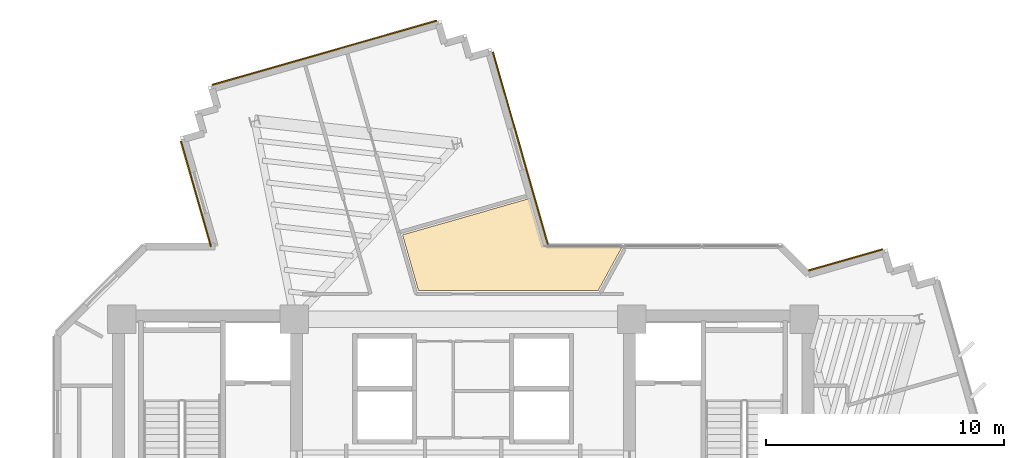
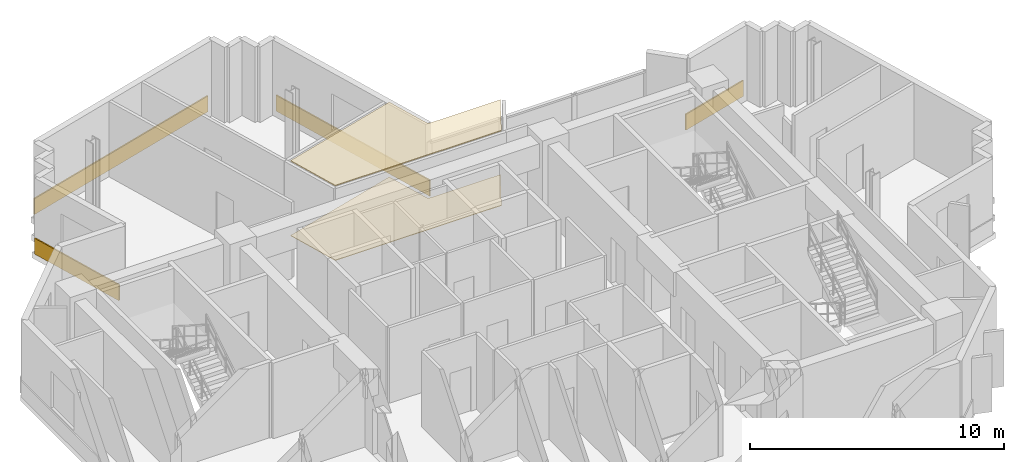
# One storey, part 14 of 14: 6 coverings.
"""IFC4 building model written with IfcOpenShell, lengths in metres."""

from ifc_helpers import new_model, si_unit, direction, frame, origin, origin_2d, place, context, subcontext, project, spatial, polyline, rectangle, outline, extrude, source, transform, mapped, material, layer, layer_set, type_object, element, save


model = new_model("IFC4")

# Units and contexts
model_context = context("Model", 3, precision=1e-05, world=origin(), true_north=direction((0.0, 1.0)))
body_context = subcontext(model_context, "Body", "Model", "MODEL_VIEW")
ifc_project = project(units=[si_unit("LENGTHUNIT", "METRE"), si_unit("AREAUNIT", "SQUARE_METRE"), si_unit("VOLUMEUNIT", "CUBIC_METRE"), si_unit("PLANEANGLEUNIT", "RADIAN"), si_unit("MASSUNIT", "GRAM", prefix="KILO")], contexts=[model_context])

# Site, building, storey
site_placement = place(None, origin())
site = spatial("IfcSite", under=ifc_project, at=site_placement, CompositionType="ELEMENT")
building_placement = place(site_placement, origin())
building = spatial("IfcBuilding", under=site, at=building_placement, Name="Zahravan Cultural Tower", CompositionType="ELEMENT")
storey_placement = place(building_placement, frame((0.0, 0.0, 205.800048828125)))
storey = spatial("IfcBuildingStorey", under=building, at=storey_placement, Name="L48", CompositionType="ELEMENT", Elevation=205.800048828125)

# Coverings
ifc_material_1 = material(Name="Acoustic mineral fibreboard")
ifc_layer_1 = layer(ifc_material_1, 0.0400390625)
ifc_layer_set_1 = layer_set([ifc_layer_1], Name="Acoustic mineral fibreboard")
covering_type_1 = type_object("IfcCoveringType", Name="COV-CEIL-AC20", PredefinedType="CEILING", material=ifc_layer_set_1)
covering_1_placement = place(storey_placement, frame((0.0, 0.0, 3.579833984375)))
element("IfcCovering", 1, at=covering_1_placement, inside=storey, type_object=covering_type_1, Name="L48 Acoustic Suspended Ceiling", PredefinedType="CEILING", context=body_context, shape_type="SweptSolid", body=[
    extrude(outline(polyline([(42.684814453125, 39.239990234375), (39.516357421875, 39.239990234375), (39.450927734375, 39.256591796875), (39.400390625, 39.298828125), (39.374755859375, 39.348388671875), (38.820556640625, 41.2861328125), (33.45556640625, 39.751953125), (34.128173828125, 37.39990234375), (41.67431640625, 37.39990234375), (42.684814453125, 39.239990234375)])), origin(), (0.0, 0.0, 1.0), 0.0400390625),
])
ifc_material_2 = material(Name="Terrazzo flooring")
ifc_layer_2 = layer(ifc_material_2, 0.02490234375)
ifc_layer_set_2 = layer_set([ifc_layer_2], Name="Terrazzo flooring")
covering_type_2 = type_object("IfcCoveringType", Name="COV-FLR-TZ25", PredefinedType="FLOORING", material=ifc_layer_set_2)
covering_2_placement = place(storey_placement, origin())
element("IfcCovering", 2, at=covering_2_placement, inside=storey, type_object=covering_type_2, Name="L48 Polished Terrazzo Flooring", PredefinedType="FLOORING", context=body_context, shape_type="SweptSolid", body=[
    extrude(outline(polyline([(42.684814453125, 39.239990234375), (39.516357421875, 39.239990234375), (39.450927734375, 39.256591796875), (39.400390625, 39.298828125), (39.374755859375, 39.348388671875), (38.820556640625, 41.2861328125), (33.45556640625, 39.751953125), (34.128173828125, 37.39990234375), (41.67431640625, 37.39990234375), (42.684814453125, 39.239990234375)])), origin(), (0.0, 0.0, 1.0), 0.02490234375),
])
ifc_material_3 = material(Name="Terracotta ceramic cladding", Category="masonry")
ifc_layer_3 = layer(ifc_material_3, 0.06005859375)
ifc_layer_set_3 = layer_set([ifc_layer_3], Name="Terracotta ceramic cladding")
covering_type_3 = type_object("IfcCoveringType", Name="COV-CLAD-TC60", PredefinedType="CLADDING", material=ifc_layer_set_3)
shared_shape_1 = source(origin(), body_context, "Body", "SweptSolid", [
    extrude(rectangle(XDim=9.820068359375, YDim=0.06005859375, at=origin_2d()), origin(), (0.0, 0.0, 1.0), 0.760009765625),
])
covering_3_placement = place(storey_placement, frame((30.163818359375, 47.406982421875, 0.02001953125), z_axis=(0.0, 0.0, 1.0), x_axis=(0.961453892845, 0.274966201438, 0.0)))
element("IfcCovering", 3, at=covering_3_placement, inside=storey, type_object=covering_type_3, Name="L48 Terracotta Spandrel Cladding 46", PredefinedType="CLADDING", context=body_context, shape_type="MappedRepresentation", body=[
    mapped(shared_shape_1, transform((0.0, 0.0, 0.0), x_axis=(1.0, 0.0, 0.0), y_axis=(0.0, 1.0, 0.0), z_axis=(0.0, 0.0, 1.0), scale=1.0)),
])
shared_shape_2 = source(origin(), body_context, "Body", "SweptSolid", [
    extrude(rectangle(XDim=3.251220703125, YDim=0.06005859375, at=origin_2d()), origin(), (0.0, 0.0, 1.0), 0.760009765625),
])
covering_4_placement = place(storey_placement, frame((52.08740234375, 38.699462890625, 0.02001953125), z_axis=(0.0, 0.0, 1.0), x_axis=(0.961449093633, 0.274982981932, 0.0)))
element("IfcCovering", 4, at=covering_4_placement, inside=storey, type_object=covering_type_3, Name="L48 Terracotta Spandrel Cladding 01", PredefinedType="CLADDING", context=body_context, shape_type="MappedRepresentation", body=[
    mapped(shared_shape_2, transform((0.0, 0.0, 0.0), x_axis=(1.0, 0.0, 0.0), y_axis=(0.0, 1.0, 0.0), z_axis=(0.0, 0.0, 1.0), scale=1.0)),
])
shared_shape_3 = source(origin(), body_context, "Body", "SweptSolid", [
    extrude(rectangle(XDim=4.603759765625, YDim=0.06005859375, at=origin_2d()), origin(), (0.0, 0.0, 1.0), 0.760009765625),
])
covering_5_placement = place(storey_placement, frame((24.761474609375, 41.475830078125, 0.02001953125), z_axis=(0.0, 0.0, 1.0), x_axis=(-0.274966201438, 0.961453892845, 0.0)))
element("IfcCovering", 5, at=covering_5_placement, inside=storey, type_object=covering_type_3, Name="L48 Terracotta Spandrel Cladding 41", PredefinedType="CLADDING", context=body_context, shape_type="MappedRepresentation", body=[
    mapped(shared_shape_3, transform((0.0, 0.0, 0.0), x_axis=(1.0, 0.0, 0.0), y_axis=(0.0, 1.0, 0.0), z_axis=(0.0, 0.0, 1.0), scale=1.0)),
])
shared_shape_4 = source(origin(), body_context, "Body", "SweptSolid", [
    extrude(rectangle(XDim=8.4130859375, YDim=0.06005859375, at=origin_2d()), origin(), (0.0, 0.0, 1.0), 0.760009765625),
])
covering_6_placement = place(storey_placement, frame((38.408935546875, 43.39794921875, 0.02001953125), z_axis=(0.0, 0.0, 1.0), x_axis=(0.274966201438, -0.961453892845, 0.0)))
element("IfcCovering", 6, at=covering_6_placement, inside=storey, type_object=covering_type_3, Name="L48 Terracotta Spandrel Cladding 51", PredefinedType="CLADDING", context=body_context, shape_type="MappedRepresentation", body=[
    mapped(shared_shape_4, transform((0.0, 0.0, 0.0), x_axis=(1.0, 0.0, 0.0), y_axis=(0.0, 1.0, 0.0), z_axis=(0.0, 0.0, 1.0), scale=1.0)),
])

save(model, "model.ifc")
